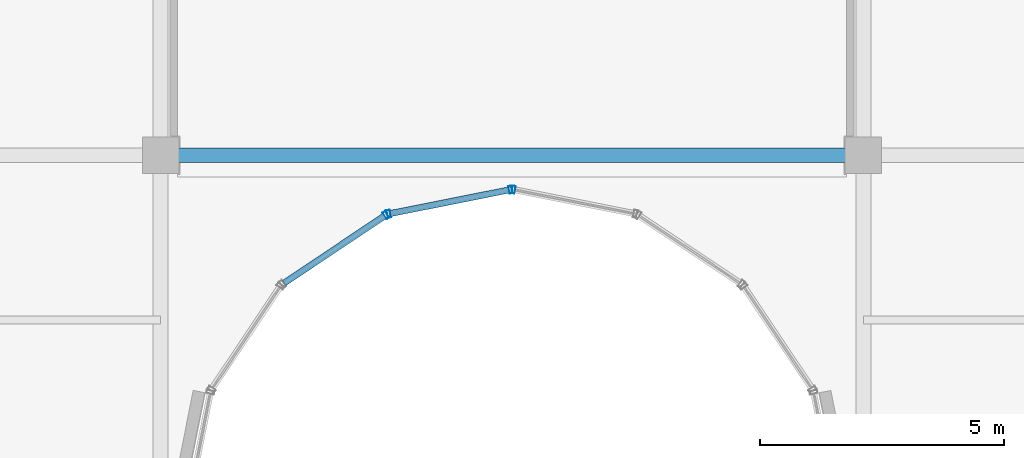
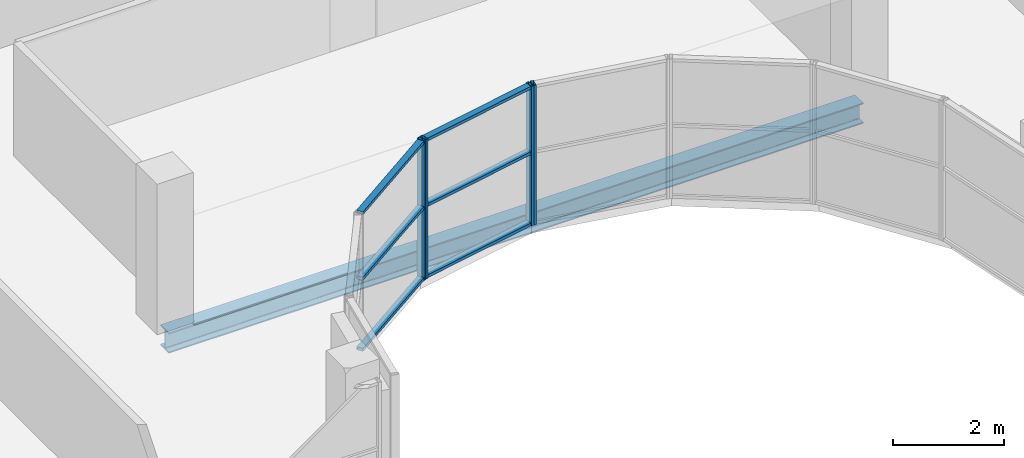
# One storey, part 6 of 28: 10 members, 1 beam, 3 elements without a shape of their own.
"""IFC4 building model written with IfcOpenShell, lengths in metres."""

from ifc_helpers import new_model, si_unit, direction, frame, origin, origin_2d, place, context, subcontext, project, spatial, hollow_rectangle, i_section, extrude, source, transform, mapped, material, layer, layer_set, material_profile, profile_set, type_object, element, aggregate, save


model = new_model("IFC4")

# Units and contexts
model_context = context("Model", 3, precision=1e-05, world=origin(), true_north=direction((0.0, 1.0)))
body_context = subcontext(model_context, "Body", "Model", "MODEL_VIEW")
ifc_project = project(units=[si_unit("LENGTHUNIT", "METRE"), si_unit("AREAUNIT", "SQUARE_METRE"), si_unit("VOLUMEUNIT", "CUBIC_METRE"), si_unit("PLANEANGLEUNIT", "RADIAN"), si_unit("MASSUNIT", "GRAM", prefix="KILO")], contexts=[model_context])

# Site, building, storey
site_placement = place(None, origin())
site = spatial("IfcSite", under=ifc_project, at=site_placement, CompositionType="ELEMENT")
building_placement = place(site_placement, origin())
building = spatial("IfcBuilding", under=site, at=building_placement, Name="Zarnakvel Exchange Tower", CompositionType="ELEMENT")
storey_placement = place(building_placement, frame((0.0, 0.0, 268.300048828125)))
storey = spatial("IfcBuildingStorey", under=building, at=storey_placement, Name="L76", CompositionType="ELEMENT", Elevation=268.300048828125)

# Beam
ifc_material_1 = material(Name="Steel S355", Category="steel")
ifc_material_profile_1 = material_profile(ifc_material_1, i_section(OverallWidth=0.300048828125, OverallDepth=0.449951171875, WebThickness=0.013916015625, FlangeThickness=0.02587890625, FilletRadius=0.027099609375, at=origin_2d()))
ifc_profile_set_1 = profile_set([ifc_material_profile_1], Name="Steel S355")
beam_type = type_object("IfcBeamType", Name="G-07", PredefinedType="BEAM", material=ifc_profile_set_1)
beam_placement = place(storey_placement, frame((-7.199951171875, -9.60009765625, -0.449951171875), z_axis=(1.0, 0.0, 0.0), x_axis=(0.0, 1.0, 0.0)))
element("IfcBeam", 1, at=beam_placement, inside=storey, type_object=beam_type, Name="L76 Tower E-W Frame Beam", PredefinedType="BEAM", context=body_context, shape_type="SweptSolid", body=[
    extrude(i_section(OverallWidth=0.300048828125, OverallDepth=0.449951171875, WebThickness=0.013916015625, FlangeThickness=0.02587890625, FilletRadius=0.027099609375, at=origin_2d()), origin(), (0.0, 0.0, 1.0), 14.39990234375),
])

# Curtain wall, members
ifc_material_2 = material(Name="Architectural Bronze Anodised Aluminium", Category="aluminium")
ifc_layer = layer(ifc_material_2, 0.159912109375)
ifc_layer_set = layer_set([ifc_layer], Name="Architectural Bronze Anodised Aluminium")
curtain_wall_type = type_object("IfcCurtainWallType", Name="CW-06", PredefinedType="NOTDEFINED", material=ifc_layer_set)
curtain_wall_1_placement = place(storey_placement, origin())
curtain_wall_1 = element("IfcCurtainWall", 2, at=curtain_wall_1_placement, inside=storey, type_object=curtain_wall_type, Name="L76 Curtain Wall CW-L76-NC3 (CW-06)", PredefinedType="NOTDEFINED")
ifc_material_profile_2 = material_profile(ifc_material_2, hollow_rectangle(XDim=0.1298828125, YDim=0.06494140625, WallThickness=0.00390625, at=origin_2d()))
ifc_profile_set_2 = profile_set([ifc_material_profile_2], Name="Architectural Bronze Anodised Aluminium")
member_type_1 = type_object("IfcMemberType", Name="CWT-06", PredefinedType="USERDEFINED", material=ifc_profile_set_2)
shared_shape_1 = source(origin(), body_context, "Body", "SweptSolid", [
    extrude(hollow_rectangle(XDim=0.1298828125, YDim=0.06494140625, WallThickness=0.00390625, at=origin_2d()), origin(), (0.0, 0.0, 1.0), 2.4765625),
])
member_1_placement = place(storey_placement, frame((-4.66943359375, -12.220458984375, 0.032470703125), z_axis=(0.831443136401, 0.555609854963, 0.0), x_axis=(-0.555609854963, 0.831443136401, 0.0)))
member_1 = element("IfcMember", 3, at=member_1_placement, type_object=member_type_1, Name="CW-06 transom 1.1", ObjectType="TRANSOM", PredefinedType="USERDEFINED", context=body_context, shape_type="MappedRepresentation", body=[
    mapped(shared_shape_1, transform((0.0, 0.0, 0.0), x_axis=(1.0, 0.0, 0.0), y_axis=(0.0, 1.0, 0.0), z_axis=(0.0, 0.0, 1.0), scale=1.0)),
])
member_2_placement = place(storey_placement, frame((-4.66943359375, -12.220458984375, 1.591064453125), z_axis=(0.831443136401, 0.555609854963, 0.0), x_axis=(-0.555609854963, 0.831443136401, 0.0)))
member_2 = element("IfcMember", 4, at=member_2_placement, type_object=member_type_1, Name="CW-06 transom 1.2", ObjectType="TRANSOM", PredefinedType="USERDEFINED", context=body_context, shape_type="MappedRepresentation", body=[
    mapped(shared_shape_1, transform((0.0, 0.0, 0.0), x_axis=(1.0, 0.0, 0.0), y_axis=(0.0, 1.0, 0.0), z_axis=(0.0, 0.0, 1.0), scale=1.0)),
])
member_3_placement = place(storey_placement, frame((-4.66943359375, -12.220458984375, 3.02734375), z_axis=(0.831443136401, 0.555609854963, 0.0), x_axis=(-0.555609854963, 0.831443136401, 0.0)))
member_3 = element("IfcMember", 5, at=member_3_placement, type_object=member_type_1, Name="CW-06 transom 1.3", ObjectType="TRANSOM", PredefinedType="USERDEFINED", context=body_context, shape_type="MappedRepresentation", body=[
    mapped(shared_shape_1, transform((0.0, 0.0, 0.0), x_axis=(1.0, 0.0, 0.0), y_axis=(0.0, 1.0, 0.0), z_axis=(0.0, 0.0, 1.0), scale=1.0)),
])

curtain_wall_2_placement = place(storey_placement, origin())
curtain_wall_2 = element("IfcCurtainWall", 6, at=curtain_wall_2_placement, inside=storey, type_object=curtain_wall_type, Name="L76 Curtain Wall CW-L76-NC4 (CW-06)", PredefinedType="NOTDEFINED")
member_4_placement = place(storey_placement, frame((-2.49267578125, -10.7958984375, 0.032470703125), z_axis=(0.980784886983, 0.195092299863, 0.0), x_axis=(-0.195092299863, 0.980784886983, 0.0)))
member_4 = element("IfcMember", 7, at=member_4_placement, type_object=member_type_1, Name="CW-06 transom 1.1", ObjectType="TRANSOM", PredefinedType="USERDEFINED", context=body_context, shape_type="MappedRepresentation", body=[
    mapped(shared_shape_1, transform((0.0, 0.0, 0.0), x_axis=(1.0, 0.0, 0.0), y_axis=(0.0, 1.0, 0.0), z_axis=(0.0, 0.0, 1.0), scale=1.0)),
])
member_5_placement = place(storey_placement, frame((-2.49267578125, -10.7958984375, 1.591064453125), z_axis=(0.980784886983, 0.195092299863, 0.0), x_axis=(-0.195092299863, 0.980784886983, 0.0)))
member_5 = element("IfcMember", 8, at=member_5_placement, type_object=member_type_1, Name="CW-06 transom 1.2", ObjectType="TRANSOM", PredefinedType="USERDEFINED", context=body_context, shape_type="MappedRepresentation", body=[
    mapped(shared_shape_1, transform((0.0, 0.0, 0.0), x_axis=(1.0, 0.0, 0.0), y_axis=(0.0, 1.0, 0.0), z_axis=(0.0, 0.0, 1.0), scale=1.0)),
])
member_6_placement = place(storey_placement, frame((-2.49267578125, -10.7958984375, 3.02734375), z_axis=(0.980784886983, 0.195092299863, 0.0), x_axis=(-0.195092299863, 0.980784886983, 0.0)))
member_6 = element("IfcMember", 9, at=member_6_placement, type_object=member_type_1, Name="CW-06 transom 1.3", ObjectType="TRANSOM", PredefinedType="USERDEFINED", context=body_context, shape_type="MappedRepresentation", body=[
    mapped(shared_shape_1, transform((0.0, 0.0, 0.0), x_axis=(1.0, 0.0, 0.0), y_axis=(0.0, 1.0, 0.0), z_axis=(0.0, 0.0, 1.0), scale=1.0)),
])

# Member
ifc_material_profile_3 = material_profile(ifc_material_2, hollow_rectangle(XDim=0.159912109375, YDim=0.06494140625, WallThickness=0.00390625, at=origin_2d()))
ifc_profile_set_3 = profile_set([ifc_material_profile_3], Name="Architectural Bronze Anodised Aluminium")
member_type_2 = type_object("IfcMemberType", Name="CWM-06", PredefinedType="MULLION", material=ifc_profile_set_3)
shared_shape_2 = source(origin(), body_context, "Body", "SweptSolid", [
    extrude(hollow_rectangle(XDim=0.159912109375, YDim=0.06494140625, WallThickness=0.00390625, at=origin_2d()), origin(), (0.0, 0.0, 1.0), 3.06005859375),
])
member_7_placement = place(storey_placement, frame((-2.583251953125, -10.82666015625, 0.0), z_axis=(0.0, 0.0, 1.0), x_axis=(-0.555570233339, 0.831469612089, 0.0)))
member_7 = element("IfcMember", 10, at=member_7_placement, type_object=member_type_2, Name="CW-06 mullion 2", PredefinedType="MULLION", context=body_context, shape_type="MappedRepresentation", body=[
    mapped(shared_shape_2, transform((0.0, 0.0, 0.0), x_axis=(1.0, 0.0, 0.0), y_axis=(0.0, 1.0, 0.0), z_axis=(0.0, 0.0, 1.0), scale=1.0)),
])

aggregate(curtain_wall_1, [member_7, member_1, member_2, member_3])

member_8_placement = place(storey_placement, frame((-2.5244140625, -10.80224609375, 0.0), z_axis=(0.0, 0.0, 1.0), x_axis=(-0.195090448398, 0.980785255264, 0.0)))
member_8 = element("IfcMember", 11, at=member_8_placement, type_object=member_type_2, Name="CW-06 mullion 1", PredefinedType="MULLION", context=body_context, shape_type="MappedRepresentation", body=[
    mapped(shared_shape_2, transform((0.0, 0.0, 0.0), x_axis=(1.0, 0.0, 0.0), y_axis=(0.0, 1.0, 0.0), z_axis=(0.0, 0.0, 1.0), scale=1.0)),
])

member_9_placement = place(storey_placement, frame((-0.031982421875, -10.306396484375, 0.0), z_axis=(0.0, 0.0, 1.0), x_axis=(-0.195090448398, 0.980785255264, 0.0)))
member_9 = element("IfcMember", 12, at=member_9_placement, type_object=member_type_2, Name="CW-06 mullion 2", PredefinedType="MULLION", context=body_context, shape_type="MappedRepresentation", body=[
    mapped(shared_shape_2, transform((0.0, 0.0, 0.0), x_axis=(1.0, 0.0, 0.0), y_axis=(0.0, 1.0, 0.0), z_axis=(0.0, 0.0, 1.0), scale=1.0)),
])

aggregate(curtain_wall_2, [member_8, member_9, member_4, member_5, member_6])

# Curtain wall, member
curtain_wall_3_placement = place(storey_placement, origin())
curtain_wall_3 = element("IfcCurtainWall", 13, at=curtain_wall_3_placement, inside=storey, type_object=curtain_wall_type, Name="L76 Curtain Wall CW-L76-NC5 (CW-06)", PredefinedType="NOTDEFINED")
member_10_placement = place(storey_placement, frame((0.031982421875, -10.306396484375, 0.0), z_axis=(0.0, 0.0, 1.0), x_axis=(0.195090448398, 0.980785255264, 0.0)))
member_10 = element("IfcMember", 14, at=member_10_placement, type_object=member_type_2, Name="CW-06 mullion 1", PredefinedType="MULLION", context=body_context, shape_type="MappedRepresentation", body=[
    mapped(shared_shape_2, transform((0.0, 0.0, 0.0), x_axis=(1.0, 0.0, 0.0), y_axis=(0.0, 1.0, 0.0), z_axis=(0.0, 0.0, 1.0), scale=1.0)),
])
aggregate(curtain_wall_3, [member_10])

save(model, "model.ifc")
